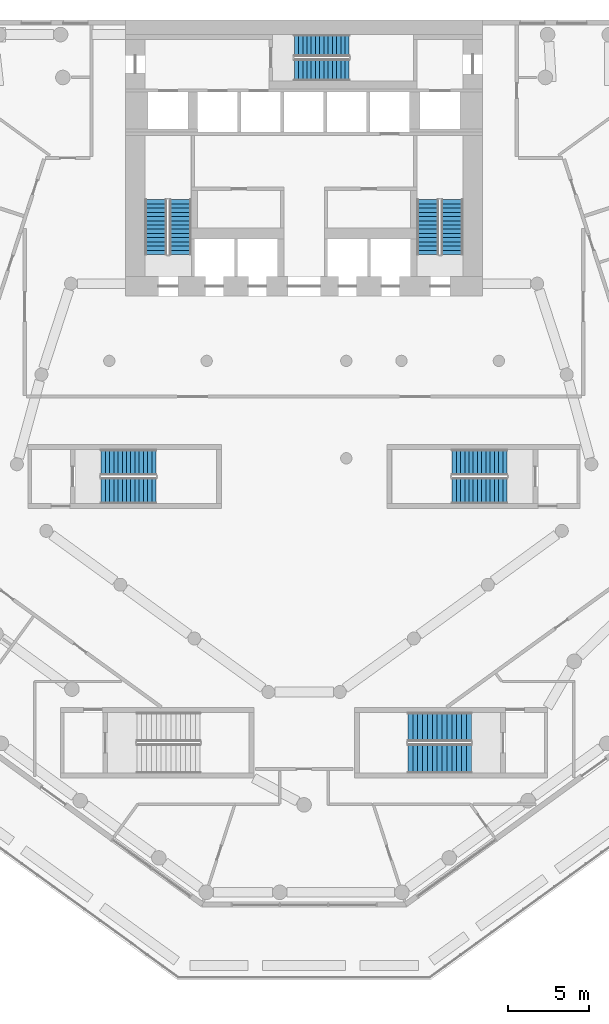
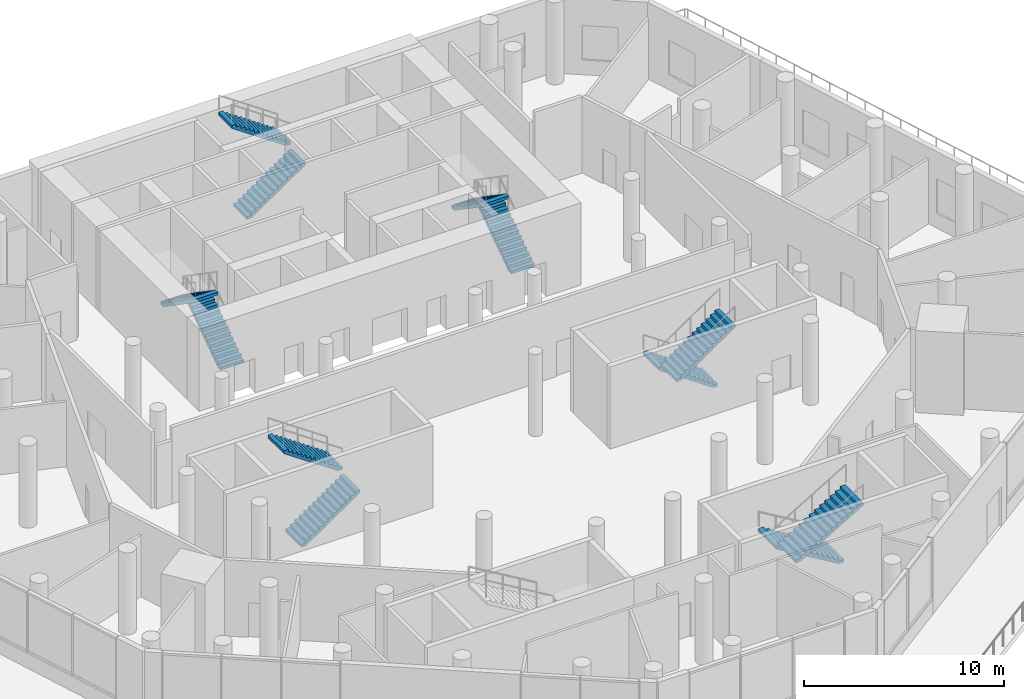
# One storey, part 14 of 19: 12 stair flights, 6 elements without a shape of their own.
"""IFC4 building model written with IfcOpenShell, lengths in metres."""

from ifc_helpers import new_model, si_unit, direction, frame, origin, place, context, subcontext, project, spatial, polyline, outline, extrude, material, layer, layer_set, type_object, element, aggregate, save


model = new_model("IFC4")

# Units and contexts
model_context = context("Model", 3, precision=1e-05, world=origin(), true_north=direction((0.0, 1.0)))
body_context = subcontext(model_context, "Body", "Model", "MODEL_VIEW")
ifc_project = project(units=[si_unit("LENGTHUNIT", "METRE"), si_unit("AREAUNIT", "SQUARE_METRE"), si_unit("VOLUMEUNIT", "CUBIC_METRE"), si_unit("PLANEANGLEUNIT", "RADIAN"), si_unit("MASSUNIT", "GRAM", prefix="KILO")], contexts=[model_context])

# Site, building, storey
site_placement = place(None, origin())
site = spatial("IfcSite", under=ifc_project, at=site_placement, CompositionType="ELEMENT")
building_placement = place(site_placement, origin())
building = spatial("IfcBuilding", under=site, at=building_placement, Name="White Candle Pilgrim Tower", CompositionType="ELEMENT")
storey_placement = place(building_placement, frame((0.0, 0.0, 29.0)))
storey = spatial("IfcBuildingStorey", under=building, at=storey_placement, Name="L04", CompositionType="ELEMENT", Elevation=29.0)

# Stair, stair flights
ifc_material = material(Name="Concrete C40/50", Category="concrete")
stair_type_1 = type_object("IfcStairType", Name="Exit stair 1 flight width 1350 mm", PredefinedType="HALF_TURN_STAIR", material=ifc_material)
stair_1_placement = place(storey_placement, origin())
stair_1 = element("IfcStair", 1, at=stair_1_placement, inside=storey, type_object=stair_type_1, Name="L04 stair 1", PredefinedType="NOTDEFINED")
ifc_layer = layer(ifc_material, 0.14990234375)
ifc_layer_set = layer_set([ifc_layer], Name="Stair flight Concrete C40/50")
stair_flight_type = type_object("IfcStairFlightType", Name="Stair flight Concrete C40/50", PredefinedType="STRAIGHT", material=ifc_layer_set)
stair_flight_1_placement = place(storey_placement, frame((62.375, 73.550048828125, 0.0), z_axis=(0.0, 0.0, 1.0), x_axis=(0.0, 1.0, 0.0)))
stair_flight_1 = element("IfcStairFlight", 2, at=stair_flight_1_placement, type_object=stair_flight_type, Name="ST1 flight 1", NumberOfRisers=14, NumberOfTreads=13, PredefinedType="NOTDEFINED", RiserHeight=0.178571429, TreadLength=0.26, context=body_context, shape_type="SweptSolid", body=[
    extrude(outline(polyline([(0.0, 0.0), (0.0, 0.178466796875), (0.260009765625, 0.178466796875), (0.260009765625, 0.357177734375), (0.52001953125, 0.357177734375), (0.52001953125, 0.53564453125), (0.780029296875, 0.53564453125), (0.780029296875, 0.71435546875), (1.0400390625, 0.71435546875), (1.0400390625, 0.892822265625), (1.300048828125, 0.892822265625), (1.300048828125, 1.071533203125), (1.56005859375, 1.071533203125), (1.56005859375, 1.25), (1.820068359375, 1.25), (1.820068359375, 1.428466796875), (2.080078125, 1.428466796875), (2.080078125, 1.607177734375), (2.340087890625, 1.607177734375), (2.340087890625, 1.78564453125), (2.60009765625, 1.78564453125), (2.60009765625, 1.96435546875), (2.860107421875, 1.96435546875), (2.860107421875, 2.142822265625), (3.1201171875, 2.142822265625), (3.1201171875, 2.321533203125), (3.3798828125, 2.321533203125), (3.3798828125, 2.5), (3.3798828125, 2.1396484375), (0.264892578125, 0.0), (0.0, 0.0)])), frame((0.0, 0.675048828125, 0.0), z_axis=(0.0, -1.0, 0.0), x_axis=(1.0, 0.0, 0.0)), (0.0, 0.0, 1.0), 1.35009765625),
])
stair_flight_2_placement = place(storey_placement, frame((60.875, 76.929931640625, 2.5), z_axis=(0.0, 0.0, 1.0), x_axis=(0.0, -1.0, 0.0)))
stair_flight_2 = element("IfcStairFlight", 3, at=stair_flight_2_placement, type_object=stair_flight_type, Name="ST1 flight 2", NumberOfRisers=14, NumberOfTreads=13, PredefinedType="NOTDEFINED", RiserHeight=0.178571429, TreadLength=0.26, context=body_context, shape_type="SweptSolid", body=[
    extrude(outline(polyline([(0.0, 0.0), (0.0, 0.178466796875), (0.260009765625, 0.178466796875), (0.260009765625, 0.357177734375), (0.52001953125, 0.357177734375), (0.52001953125, 0.53564453125), (0.780029296875, 0.53564453125), (0.780029296875, 0.71435546875), (1.0400390625, 0.71435546875), (1.0400390625, 0.892822265625), (1.300048828125, 0.892822265625), (1.300048828125, 1.071533203125), (1.56005859375, 1.071533203125), (1.56005859375, 1.25), (1.820068359375, 1.25), (1.820068359375, 1.428466796875), (2.080078125, 1.428466796875), (2.080078125, 1.607177734375), (2.340087890625, 1.607177734375), (2.340087890625, 1.78564453125), (2.60009765625, 1.78564453125), (2.60009765625, 1.96435546875), (2.860107421875, 1.96435546875), (2.860107421875, 2.142822265625), (3.1201171875, 2.142822265625), (3.1201171875, 2.321533203125), (3.3798828125, 2.321533203125), (3.3798828125, 2.5), (3.3798828125, 2.1396484375), (0.264892578125, 0.0), (0.0, 0.0)])), frame((0.0, 0.675048828125, 0.0), z_axis=(0.0, -1.0, 0.0), x_axis=(1.0, 0.0, 0.0)), (0.0, 0.0, 1.0), 1.35009765625),
])
aggregate(stair_1, [stair_flight_1, stair_flight_2])

stair_type_2 = type_object("IfcStairType", Name="Exit stair 2 flight width 1350 mm", PredefinedType="HALF_TURN_STAIR", material=ifc_material)
stair_2_placement = place(storey_placement, origin())
stair_2 = element("IfcStair", 4, at=stair_2_placement, inside=storey, type_object=stair_type_2, Name="L04 stair 2", PredefinedType="NOTDEFINED")
stair_flight_3_placement = place(storey_placement, frame((79.125, 73.550048828125, 0.0), z_axis=(0.0, 0.0, 1.0), x_axis=(0.0, 1.0, 0.0)))
stair_flight_3 = element("IfcStairFlight", 5, at=stair_flight_3_placement, type_object=stair_flight_type, Name="ST2 flight 1", NumberOfRisers=14, NumberOfTreads=13, PredefinedType="NOTDEFINED", RiserHeight=0.178571429, TreadLength=0.26, context=body_context, shape_type="SweptSolid", body=[
    extrude(outline(polyline([(0.0, 0.0), (0.0, 0.178466796875), (0.260009765625, 0.178466796875), (0.260009765625, 0.357177734375), (0.52001953125, 0.357177734375), (0.52001953125, 0.53564453125), (0.780029296875, 0.53564453125), (0.780029296875, 0.71435546875), (1.0400390625, 0.71435546875), (1.0400390625, 0.892822265625), (1.300048828125, 0.892822265625), (1.300048828125, 1.071533203125), (1.56005859375, 1.071533203125), (1.56005859375, 1.25), (1.820068359375, 1.25), (1.820068359375, 1.428466796875), (2.080078125, 1.428466796875), (2.080078125, 1.607177734375), (2.340087890625, 1.607177734375), (2.340087890625, 1.78564453125), (2.60009765625, 1.78564453125), (2.60009765625, 1.96435546875), (2.860107421875, 1.96435546875), (2.860107421875, 2.142822265625), (3.1201171875, 2.142822265625), (3.1201171875, 2.321533203125), (3.3798828125, 2.321533203125), (3.3798828125, 2.5), (3.3798828125, 2.1396484375), (0.264892578125, 0.0), (0.0, 0.0)])), frame((0.0, 0.675048828125, 0.0), z_axis=(0.0, -1.0, 0.0), x_axis=(1.0, 0.0, 0.0)), (0.0, 0.0, 1.0), 1.35009765625),
])
stair_flight_4_placement = place(storey_placement, frame((77.625, 76.929931640625, 2.5), z_axis=(0.0, 0.0, 1.0), x_axis=(0.0, -1.0, 0.0)))
stair_flight_4 = element("IfcStairFlight", 6, at=stair_flight_4_placement, type_object=stair_flight_type, Name="ST2 flight 2", NumberOfRisers=14, NumberOfTreads=13, PredefinedType="NOTDEFINED", RiserHeight=0.178571429, TreadLength=0.26, context=body_context, shape_type="SweptSolid", body=[
    extrude(outline(polyline([(0.0, 0.0), (0.0, 0.178466796875), (0.260009765625, 0.178466796875), (0.260009765625, 0.357177734375), (0.52001953125, 0.357177734375), (0.52001953125, 0.53564453125), (0.780029296875, 0.53564453125), (0.780029296875, 0.71435546875), (1.0400390625, 0.71435546875), (1.0400390625, 0.892822265625), (1.300048828125, 0.892822265625), (1.300048828125, 1.071533203125), (1.56005859375, 1.071533203125), (1.56005859375, 1.25), (1.820068359375, 1.25), (1.820068359375, 1.428466796875), (2.080078125, 1.428466796875), (2.080078125, 1.607177734375), (2.340087890625, 1.607177734375), (2.340087890625, 1.78564453125), (2.60009765625, 1.78564453125), (2.60009765625, 1.96435546875), (2.860107421875, 1.96435546875), (2.860107421875, 2.142822265625), (3.1201171875, 2.142822265625), (3.1201171875, 2.321533203125), (3.3798828125, 2.321533203125), (3.3798828125, 2.5), (3.3798828125, 2.1396484375), (0.264892578125, 0.0), (0.0, 0.0)])), frame((0.0, 0.675048828125, 0.0), z_axis=(0.0, -1.0, 0.0), x_axis=(1.0, 0.0, 0.0)), (0.0, 0.0, 1.0), 1.35009765625),
])
aggregate(stair_2, [stair_flight_3, stair_flight_4])

stair_type_3 = type_object("IfcStairType", Name="Exit stair 3 flight width 1350 mm", PredefinedType="HALF_TURN_STAIR", material=ifc_material)
stair_3_placement = place(storey_placement, origin())
stair_3 = element("IfcStair", 7, at=stair_3_placement, inside=storey, type_object=stair_type_3, Name="L04 stair 3", PredefinedType="NOTDEFINED")
stair_flight_5_placement = place(storey_placement, frame((69.39990234375, 84.925048828125, 0.0), z_axis=(0.0, 0.0, 1.0), x_axis=(1.0, 0.0, 0.0)))
stair_flight_5 = element("IfcStairFlight", 8, at=stair_flight_5_placement, type_object=stair_flight_type, Name="ST3 flight 1", NumberOfRisers=14, NumberOfTreads=13, PredefinedType="NOTDEFINED", RiserHeight=0.178571429, TreadLength=0.26, context=body_context, shape_type="SweptSolid", body=[
    extrude(outline(polyline([(0.0, 0.0), (0.0, 0.178466796875), (0.260009765625, 0.178466796875), (0.260009765625, 0.357177734375), (0.52001953125, 0.357177734375), (0.52001953125, 0.53564453125), (0.780029296875, 0.53564453125), (0.780029296875, 0.71435546875), (1.0400390625, 0.71435546875), (1.0400390625, 0.892822265625), (1.300048828125, 0.892822265625), (1.300048828125, 1.071533203125), (1.56005859375, 1.071533203125), (1.56005859375, 1.25), (1.820068359375, 1.25), (1.820068359375, 1.428466796875), (2.080078125, 1.428466796875), (2.080078125, 1.607177734375), (2.340087890625, 1.607177734375), (2.340087890625, 1.78564453125), (2.60009765625, 1.78564453125), (2.60009765625, 1.96435546875), (2.860107421875, 1.96435546875), (2.860107421875, 2.142822265625), (3.1201171875, 2.142822265625), (3.1201171875, 2.321533203125), (3.3798828125, 2.321533203125), (3.3798828125, 2.5), (3.3798828125, 2.1396484375), (0.264892578125, 0.0), (0.0, 0.0)])), frame((0.0, 0.675048828125, 0.0), z_axis=(0.0, -1.0, 0.0), x_axis=(1.0, 0.0, 0.0)), (0.0, 0.0, 1.0), 1.35009765625),
])
stair_flight_6_placement = place(storey_placement, frame((72.780029296875, 86.425048828125, 2.5), z_axis=(0.0, 0.0, 1.0), x_axis=(-1.0, 0.0, 0.0)))
stair_flight_6 = element("IfcStairFlight", 9, at=stair_flight_6_placement, type_object=stair_flight_type, Name="ST3 flight 2", NumberOfRisers=14, NumberOfTreads=13, PredefinedType="NOTDEFINED", RiserHeight=0.178571429, TreadLength=0.26, context=body_context, shape_type="SweptSolid", body=[
    extrude(outline(polyline([(0.0, 0.0), (0.0, 0.178466796875), (0.260009765625, 0.178466796875), (0.260009765625, 0.357177734375), (0.52001953125, 0.357177734375), (0.52001953125, 0.53564453125), (0.780029296875, 0.53564453125), (0.780029296875, 0.71435546875), (1.0400390625, 0.71435546875), (1.0400390625, 0.892822265625), (1.300048828125, 0.892822265625), (1.300048828125, 1.071533203125), (1.56005859375, 1.071533203125), (1.56005859375, 1.25), (1.820068359375, 1.25), (1.820068359375, 1.428466796875), (2.080078125, 1.428466796875), (2.080078125, 1.607177734375), (2.340087890625, 1.607177734375), (2.340087890625, 1.78564453125), (2.60009765625, 1.78564453125), (2.60009765625, 1.96435546875), (2.860107421875, 1.96435546875), (2.860107421875, 2.142822265625), (3.1201171875, 2.142822265625), (3.1201171875, 2.321533203125), (3.3798828125, 2.321533203125), (3.3798828125, 2.5), (3.3798828125, 2.1396484375), (0.264892578125, 0.0), (0.0, 0.0)])), frame((0.0, 0.675048828125, 0.0), z_axis=(0.0, -1.0, 0.0), x_axis=(1.0, 0.0, 0.0)), (0.0, 0.0, 1.0), 1.35009765625),
])
aggregate(stair_3, [stair_flight_5, stair_flight_6])

stair_type_4 = type_object("IfcStairType", Name="Exit stair 4 flight width 1600 mm", PredefinedType="HALF_TURN_STAIR", material=ifc_material)
stair_4_placement = place(storey_placement, origin())
stair_4 = element("IfcStair", 10, at=stair_4_placement, inside=storey, type_object=stair_type_4, Name="L04 stair 4", PredefinedType="NOTDEFINED")
stair_flight_7_placement = place(storey_placement, frame((82.5, 60.75, 0.0), z_axis=(0.0, 0.0, 1.0), x_axis=(-1.0, 0.0, 0.0)))
stair_flight_7 = element("IfcStairFlight", 11, at=stair_flight_7_placement, type_object=stair_flight_type, Name="ST4 flight 1", NumberOfRisers=14, NumberOfTreads=13, PredefinedType="NOTDEFINED", RiserHeight=0.178571429, TreadLength=0.26, context=body_context, shape_type="SweptSolid", body=[
    extrude(outline(polyline([(0.0, 0.0), (0.0, 0.178466796875), (0.260009765625, 0.178466796875), (0.260009765625, 0.357177734375), (0.52001953125, 0.357177734375), (0.52001953125, 0.53564453125), (0.780029296875, 0.53564453125), (0.780029296875, 0.71435546875), (1.0400390625, 0.71435546875), (1.0400390625, 0.892822265625), (1.300048828125, 0.892822265625), (1.300048828125, 1.071533203125), (1.56005859375, 1.071533203125), (1.56005859375, 1.25), (1.820068359375, 1.25), (1.820068359375, 1.428466796875), (2.080078125, 1.428466796875), (2.080078125, 1.607177734375), (2.340087890625, 1.607177734375), (2.340087890625, 1.78564453125), (2.60009765625, 1.78564453125), (2.60009765625, 1.96435546875), (2.860107421875, 1.96435546875), (2.860107421875, 2.142822265625), (3.1201171875, 2.142822265625), (3.1201171875, 2.321533203125), (3.3798828125, 2.321533203125), (3.3798828125, 2.5), (3.3798828125, 2.1396484375), (0.264892578125, 0.0), (0.0, 0.0)])), frame((0.0, 0.800048828125, 0.0), z_axis=(0.0, -1.0, 0.0), x_axis=(1.0, 0.0, 0.0)), (0.0, 0.0, 1.0), 1.60009765625),
])
stair_flight_8_placement = place(storey_placement, frame((79.1201171875, 59.0, 2.5), z_axis=(0.0, 0.0, 1.0), x_axis=(1.0, 0.0, 0.0)))
stair_flight_8 = element("IfcStairFlight", 12, at=stair_flight_8_placement, type_object=stair_flight_type, Name="ST4 flight 2", NumberOfRisers=14, NumberOfTreads=13, PredefinedType="NOTDEFINED", RiserHeight=0.178571429, TreadLength=0.26, context=body_context, shape_type="SweptSolid", body=[
    extrude(outline(polyline([(0.0, 0.0), (0.0, 0.178466796875), (0.260009765625, 0.178466796875), (0.260009765625, 0.357177734375), (0.52001953125, 0.357177734375), (0.52001953125, 0.53564453125), (0.780029296875, 0.53564453125), (0.780029296875, 0.71435546875), (1.0400390625, 0.71435546875), (1.0400390625, 0.892822265625), (1.300048828125, 0.892822265625), (1.300048828125, 1.071533203125), (1.56005859375, 1.071533203125), (1.56005859375, 1.25), (1.820068359375, 1.25), (1.820068359375, 1.428466796875), (2.080078125, 1.428466796875), (2.080078125, 1.607177734375), (2.340087890625, 1.607177734375), (2.340087890625, 1.78564453125), (2.60009765625, 1.78564453125), (2.60009765625, 1.96435546875), (2.860107421875, 1.96435546875), (2.860107421875, 2.142822265625), (3.1201171875, 2.142822265625), (3.1201171875, 2.321533203125), (3.3798828125, 2.321533203125), (3.3798828125, 2.5), (3.3798828125, 2.1396484375), (0.264892578125, 0.0), (0.0, 0.0)])), frame((0.0, 0.800048828125, 0.0), z_axis=(0.0, -1.0, 0.0), x_axis=(1.0, 0.0, 0.0)), (0.0, 0.0, 1.0), 1.60009765625),
])
aggregate(stair_4, [stair_flight_7, stair_flight_8])

stair_type_5 = type_object("IfcStairType", Name="Exit stair 5 flight width 1600 mm", PredefinedType="HALF_TURN_STAIR", material=ifc_material)
stair_5_placement = place(storey_placement, origin())
stair_5 = element("IfcStair", 13, at=stair_5_placement, inside=storey, type_object=stair_type_5, Name="L04 stair 5", PredefinedType="NOTDEFINED")
stair_flight_9_placement = place(storey_placement, frame((57.5, 59.0, 0.0), z_axis=(0.0, 0.0, 1.0), x_axis=(1.0, 0.0, 0.0)))
stair_flight_9 = element("IfcStairFlight", 14, at=stair_flight_9_placement, type_object=stair_flight_type, Name="ST5 flight 1", NumberOfRisers=14, NumberOfTreads=13, PredefinedType="NOTDEFINED", RiserHeight=0.178571429, TreadLength=0.26, context=body_context, shape_type="SweptSolid", body=[
    extrude(outline(polyline([(0.0, 0.0), (0.0, 0.178466796875), (0.260009765625, 0.178466796875), (0.260009765625, 0.357177734375), (0.52001953125, 0.357177734375), (0.52001953125, 0.53564453125), (0.780029296875, 0.53564453125), (0.780029296875, 0.71435546875), (1.0400390625, 0.71435546875), (1.0400390625, 0.892822265625), (1.300048828125, 0.892822265625), (1.300048828125, 1.071533203125), (1.56005859375, 1.071533203125), (1.56005859375, 1.25), (1.820068359375, 1.25), (1.820068359375, 1.428466796875), (2.080078125, 1.428466796875), (2.080078125, 1.607177734375), (2.340087890625, 1.607177734375), (2.340087890625, 1.78564453125), (2.60009765625, 1.78564453125), (2.60009765625, 1.96435546875), (2.860107421875, 1.96435546875), (2.860107421875, 2.142822265625), (3.1201171875, 2.142822265625), (3.1201171875, 2.321533203125), (3.3798828125, 2.321533203125), (3.3798828125, 2.5), (3.3798828125, 2.1396484375), (0.264892578125, 0.0), (0.0, 0.0)])), frame((0.0, 0.800048828125, 0.0), z_axis=(0.0, -1.0, 0.0), x_axis=(1.0, 0.0, 0.0)), (0.0, 0.0, 1.0), 1.60009765625),
])
stair_flight_10_placement = place(storey_placement, frame((60.8798828125, 60.75, 2.5), z_axis=(0.0, 0.0, 1.0), x_axis=(-1.0, 0.0, 0.0)))
stair_flight_10 = element("IfcStairFlight", 15, at=stair_flight_10_placement, type_object=stair_flight_type, Name="ST5 flight 2", NumberOfRisers=14, NumberOfTreads=13, PredefinedType="NOTDEFINED", RiserHeight=0.178571429, TreadLength=0.26, context=body_context, shape_type="SweptSolid", body=[
    extrude(outline(polyline([(0.0, 0.0), (0.0, 0.178466796875), (0.260009765625, 0.178466796875), (0.260009765625, 0.357177734375), (0.52001953125, 0.357177734375), (0.52001953125, 0.53564453125), (0.780029296875, 0.53564453125), (0.780029296875, 0.71435546875), (1.0400390625, 0.71435546875), (1.0400390625, 0.892822265625), (1.300048828125, 0.892822265625), (1.300048828125, 1.071533203125), (1.56005859375, 1.071533203125), (1.56005859375, 1.25), (1.820068359375, 1.25), (1.820068359375, 1.428466796875), (2.080078125, 1.428466796875), (2.080078125, 1.607177734375), (2.340087890625, 1.607177734375), (2.340087890625, 1.78564453125), (2.60009765625, 1.78564453125), (2.60009765625, 1.96435546875), (2.860107421875, 1.96435546875), (2.860107421875, 2.142822265625), (3.1201171875, 2.142822265625), (3.1201171875, 2.321533203125), (3.3798828125, 2.321533203125), (3.3798828125, 2.5), (3.3798828125, 2.1396484375), (0.264892578125, 0.0), (0.0, 0.0)])), frame((0.0, 0.800048828125, 0.0), z_axis=(0.0, -1.0, 0.0), x_axis=(1.0, 0.0, 0.0)), (0.0, 0.0, 1.0), 1.60009765625),
])
aggregate(stair_5, [stair_flight_9, stair_flight_10])

stair_type_6 = type_object("IfcStairType", Name="Exit stair 7 flight width 1800 mm", PredefinedType="HALF_TURN_STAIR", material=ifc_material)
stair_6_placement = place(storey_placement, origin())
stair_6 = element("IfcStair", 16, at=stair_6_placement, inside=storey, type_object=stair_type_6, Name="L04 stair 7", PredefinedType="NOTDEFINED")
stair_flight_11_placement = place(storey_placement, frame((80.300048828125, 44.449951171875, 0.0), z_axis=(0.0, 0.0, 1.0), x_axis=(-1.0, 0.0, 0.0)))
stair_flight_11 = element("IfcStairFlight", 17, at=stair_flight_11_placement, type_object=stair_flight_type, Name="ST7 flight 1", NumberOfRisers=14, NumberOfTreads=13, PredefinedType="NOTDEFINED", RiserHeight=0.178571429, TreadLength=0.3, context=body_context, shape_type="SweptSolid", body=[
    extrude(outline(polyline([(0.0, 0.0), (0.0, 0.178466796875), (0.300048828125, 0.178466796875), (0.300048828125, 0.357177734375), (0.60009765625, 0.357177734375), (0.60009765625, 0.53564453125), (0.89990234375, 0.53564453125), (0.89990234375, 0.71435546875), (1.199951171875, 0.71435546875), (1.199951171875, 0.892822265625), (1.5, 0.892822265625), (1.5, 1.071533203125), (1.800048828125, 1.071533203125), (1.800048828125, 1.25), (2.10009765625, 1.25), (2.10009765625, 1.428466796875), (2.39990234375, 1.428466796875), (2.39990234375, 1.607177734375), (2.699951171875, 1.607177734375), (2.699951171875, 1.78564453125), (3.0, 1.78564453125), (3.0, 1.96435546875), (3.300048828125, 1.96435546875), (3.300048828125, 2.142822265625), (3.60009765625, 2.142822265625), (3.60009765625, 2.321533203125), (3.89990234375, 2.321533203125), (3.89990234375, 2.5), (3.89990234375, 2.14697265625), (0.29296875, 0.0), (0.0, 0.0)])), frame((0.0, 0.89990234375, 0.0), z_axis=(0.0, -1.0, 0.0), x_axis=(1.0, 0.0, 0.0)), (0.0, 0.0, 1.0), 1.800048828125),
])
stair_flight_12_placement = place(storey_placement, frame((76.39990234375, 42.5, 2.5), z_axis=(0.0, 0.0, 1.0), x_axis=(1.0, 0.0, 0.0)))
stair_flight_12 = element("IfcStairFlight", 18, at=stair_flight_12_placement, type_object=stair_flight_type, Name="ST7 flight 2", NumberOfRisers=14, NumberOfTreads=13, PredefinedType="NOTDEFINED", RiserHeight=0.178571429, TreadLength=0.3, context=body_context, shape_type="SweptSolid", body=[
    extrude(outline(polyline([(0.0, 0.0), (0.0, 0.178466796875), (0.300048828125, 0.178466796875), (0.300048828125, 0.357177734375), (0.60009765625, 0.357177734375), (0.60009765625, 0.53564453125), (0.89990234375, 0.53564453125), (0.89990234375, 0.71435546875), (1.199951171875, 0.71435546875), (1.199951171875, 0.892822265625), (1.5, 0.892822265625), (1.5, 1.071533203125), (1.800048828125, 1.071533203125), (1.800048828125, 1.25), (2.10009765625, 1.25), (2.10009765625, 1.428466796875), (2.39990234375, 1.428466796875), (2.39990234375, 1.607177734375), (2.699951171875, 1.607177734375), (2.699951171875, 1.78564453125), (3.0, 1.78564453125), (3.0, 1.96435546875), (3.300048828125, 1.96435546875), (3.300048828125, 2.142822265625), (3.60009765625, 2.142822265625), (3.60009765625, 2.321533203125), (3.89990234375, 2.321533203125), (3.89990234375, 2.5), (3.89990234375, 2.14697265625), (0.29296875, 0.0), (0.0, 0.0)])), frame((0.0, 0.89990234375, 0.0), z_axis=(0.0, -1.0, 0.0), x_axis=(1.0, 0.0, 0.0)), (0.0, 0.0, 1.0), 1.800048828125),
])
aggregate(stair_6, [stair_flight_11, stair_flight_12])

save(model, "model.ifc")
